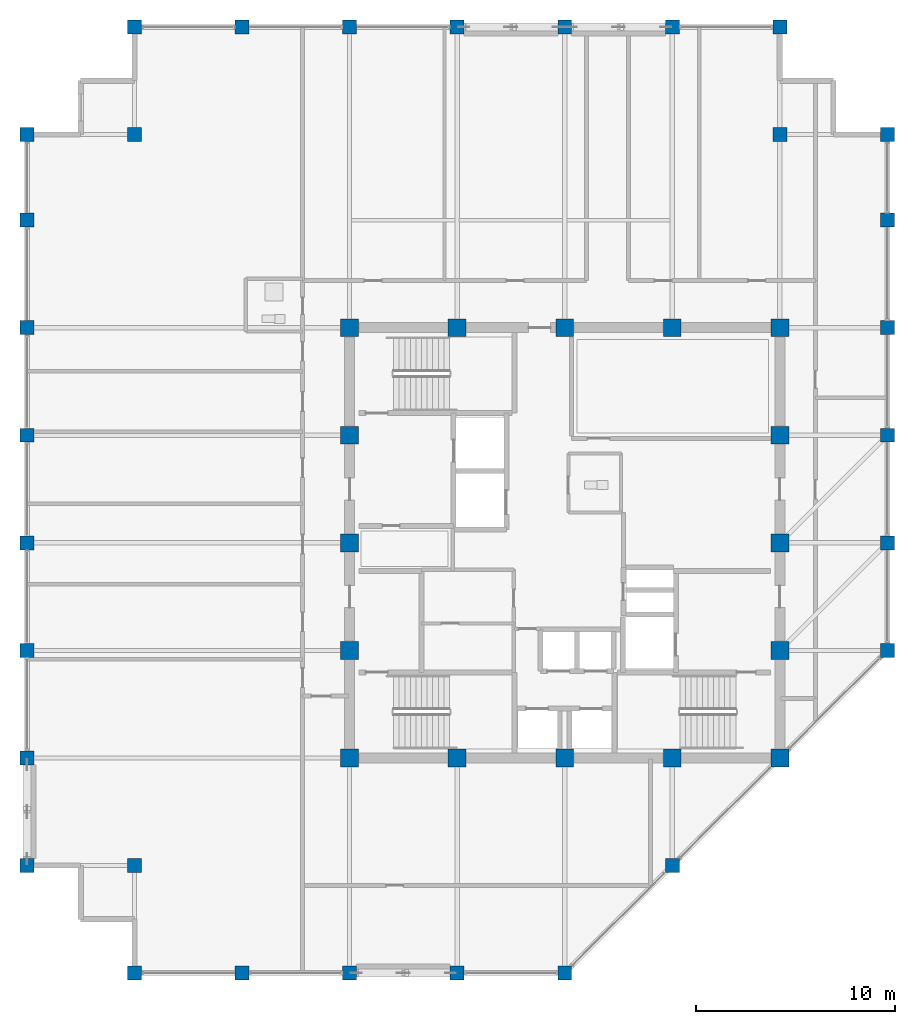
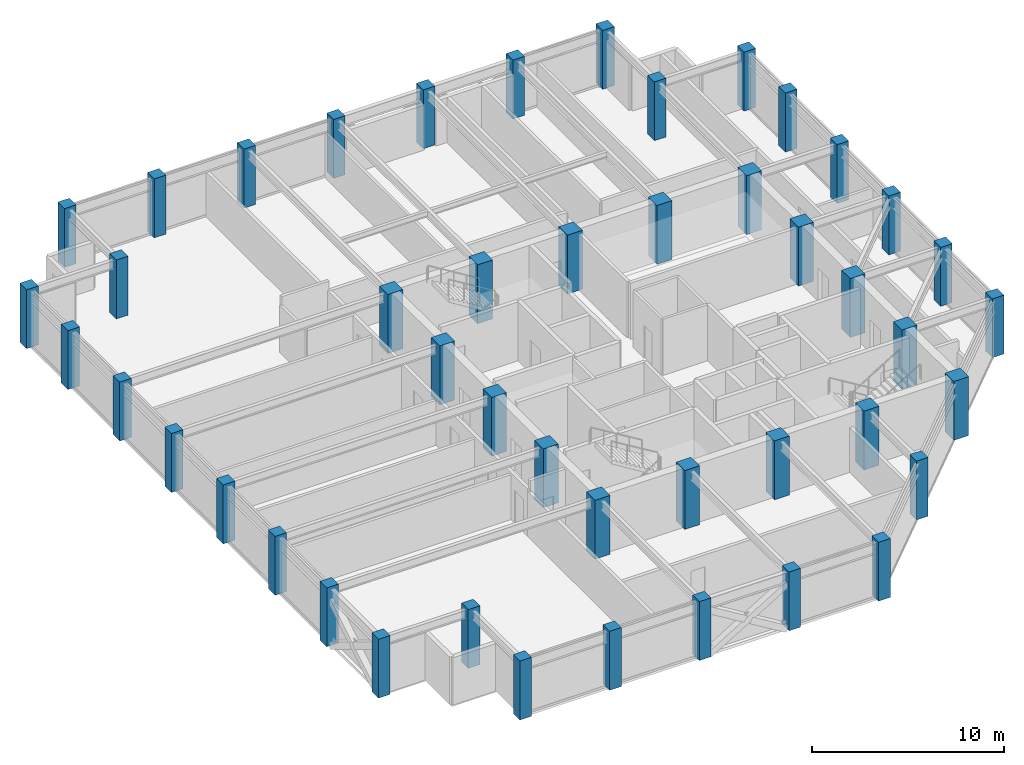
# One storey, part 1 of 30: 46 columns.
"""IFC4 building model written with IfcOpenShell, lengths in metres."""

from ifc_helpers import new_model, si_unit, direction, frame, origin, origin_2d, place, context, subcontext, project, spatial, rectangle, extrude, material, material_profile, profile_set, type_object, element, save


model = new_model("IFC4")

# Units and contexts
model_context = context("Model", 3, precision=1e-05, world=origin(), true_north=direction((0.0, 1.0)))
body_context = subcontext(model_context, "Body", "Model", "MODEL_VIEW")
ifc_project = project(units=[si_unit("LENGTHUNIT", "METRE"), si_unit("AREAUNIT", "SQUARE_METRE"), si_unit("VOLUMEUNIT", "CUBIC_METRE"), si_unit("PLANEANGLEUNIT", "RADIAN"), si_unit("MASSUNIT", "GRAM", prefix="KILO")], contexts=[model_context])

# Site, building, storey
site_placement = place(None, origin())
site = spatial("IfcSite", under=ifc_project, at=site_placement, CompositionType="ELEMENT")
building_placement = place(site_placement, origin())
building = spatial("IfcBuilding", under=site, at=building_placement, Name="Surkhivell Harbour Commons", CompositionType="ELEMENT")
storey_placement = place(building_placement, frame((0.0, 0.0, 292.5)))
storey = spatial("IfcBuildingStorey", under=building, at=storey_placement, Name="L76", CompositionType="ELEMENT", Elevation=292.5)

# Columns
ifc_material_1 = material(Name="Concrete C60/75", Category="concrete")
ifc_material_profile_1 = material_profile(ifc_material_1, rectangle(XDim=0.89990234375, YDim=0.89990234375, at=origin_2d()), Name="RC-COL-900x900")
ifc_profile_set_1 = profile_set([ifc_material_profile_1], Name="Concrete C60/75")
column_type_1 = type_object("IfcColumnType", Name="COL-TUBE-Z3A", PredefinedType="COLUMN", material=ifc_profile_set_1)
for number, where, z_axis, x_axis, name in (
    (1, (-10.800048828125, -10.800048828125, 0.0), (0.0, 0.0, 1.0), (1.0, 0.0, 0.0), "L76 Column CT-3A (-10.8,-10.8)"),
    (2, (-10.800048828125, -5.39990234375, 0.0), (0.0, 0.0, 1.0), (1.0, 0.0, 0.0), "L76 Column CT-3A (-10.8,-5.4)"),
    (3, (-10.800048828125, 0.0, 0.0), (0.0, 0.0, 1.0), (1.0, 0.0, 0.0), "L76 Column CT-3A (-10.8,0.0)"),
    (4, (-10.800048828125, 5.39990234375, 0.0), (0.0, 0.0, 1.0), (1.0, 0.0, 0.0), "L76 Column CT-3A (-10.8,5.4)"),
    (5, (-10.800048828125, 10.800048828125, 0.0), (0.0, 0.0, 1.0), (1.0, 0.0, 0.0), "L76 Column CT-3A (-10.8,10.8)"),
    (6, (-5.39990234375, -10.800048828125, 0.0), (0.0, 0.0, 1.0), (1.0, 0.0, 0.0), "L76 Column CT-3A (-5.4,-10.8)"),
    (7, (-5.39990234375, 10.800048828125, 0.0), (0.0, 0.0, 1.0), (1.0, 0.0, 0.0), "L76 Column CT-3A (-5.4,10.8)"),
    (8, (0.0, -10.800048828125, 0.0), (0.0, 0.0, 1.0), (1.0, 0.0, 0.0), "L76 Column CT-3A (0.0,-10.8)"),
    (9, (0.0, 10.800048828125, 0.0), (0.0, 0.0, 1.0), (1.0, 0.0, 0.0), "L76 Column CT-3A (0.0,10.8)"),
    (10, (5.39990234375, -10.800048828125, 0.0), (0.0, 0.0, 1.0), (1.0, 0.0, 0.0), "L76 Column CT-3A (5.4,-10.8)"),
    (11, (5.39990234375, 10.800048828125, 0.0), (0.0, 0.0, 1.0), (1.0, 0.0, 0.0), "L76 Column CT-3A (5.4,10.8)"),
    (12, (10.800048828125, -10.800048828125, 0.0), (0.0, 0.0, 1.0), (1.0, 0.0, 0.0), "L76 Column CT-3A (10.8,-10.8)"),
    (13, (10.800048828125, -5.39990234375, 0.0), (0.0, 0.0, 1.0), (1.0, 0.0, 0.0), "L76 Column CT-3A (10.8,-5.4)"),
    (14, (10.800048828125, 0.0, 0.0), (0.0, 0.0, 1.0), (1.0, 0.0, 0.0), "L76 Column CT-3A (10.8,0.0)"),
    (15, (10.800048828125, 5.39990234375, 0.0), (0.0, 0.0, 1.0), (1.0, 0.0, 0.0), "L76 Column CT-3A (10.8,5.4)"),
    (16, (10.800048828125, 10.800048828125, 0.0), (0.0, 0.0, 1.0), (1.0, 0.0, 0.0), "L76 Column CT-3A (10.8,10.8)"),
):
    element("IfcColumn", number, at=place(storey_placement, frame(where, z_axis=z_axis, x_axis=x_axis)), inside=storey, type_object=column_type_1, Name=name, PredefinedType="COLUMN", context=body_context, shape_type="SweptSolid", body=[
        extrude(rectangle(XDim=0.89990234375, YDim=0.89990234375, at=origin_2d()), origin(), (0.0, 0.0, 1.0), 3.75),
    ])
ifc_material_2 = material(Name="Concrete C50/60", Category="concrete")
ifc_material_profile_2 = material_profile(ifc_material_2, rectangle(XDim=0.699951171875, YDim=0.699951171875, at=origin_2d()), Name="RC-COL-700x700")
ifc_profile_set_2 = profile_set([ifc_material_profile_2], Name="Concrete C50/60")
column_type_2 = type_object("IfcColumnType", Name="COL-TUBE-Z4", PredefinedType="COLUMN", material=ifc_profile_set_2)
for number, where, z_axis, x_axis, name in (
    (17, (-27.0, -16.199951171875, 0.0), (0.0, 0.0, 1.0), (1.0, 0.0, 0.0), "L76 Column CT-4 (-27.0,-16.2)"),
    (18, (-27.0, -10.800048828125, 0.0), (0.0, 0.0, 1.0), (1.0, 0.0, 0.0), "L76 Column CT-4 (-27.0,-10.8)"),
    (19, (-27.0, -5.39990234375, 0.0), (0.0, 0.0, 1.0), (1.0, 0.0, 0.0), "L76 Column CT-4 (-27.0,-5.4)"),
    (20, (-27.0, 0.0, 0.0), (0.0, 0.0, 1.0), (1.0, 0.0, 0.0), "L76 Column CT-4 (-27.0,0.0)"),
    (21, (-27.0, 5.39990234375, 0.0), (0.0, 0.0, 1.0), (1.0, 0.0, 0.0), "L76 Column CT-4 (-27.0,5.4)"),
    (22, (-27.0, 10.800048828125, 0.0), (0.0, 0.0, 1.0), (1.0, 0.0, 0.0), "L76 Column CT-4 (-27.0,10.8)"),
    (23, (-27.0, 16.199951171875, 0.0), (0.0, 0.0, 1.0), (1.0, 0.0, 0.0), "L76 Column CT-4 (-27.0,16.2)"),
    (24, (-27.0, 20.5, 0.0), (0.0, 0.0, 1.0), (1.0, 0.0, 0.0), "L76 Column CT-4 (-27.0,20.5)"),
    (25, (-21.60009765625, -21.60009765625, 0.0), (0.0, 0.0, 1.0), (1.0, 0.0, 0.0), "L76 Column CT-4 (-21.6,-21.6)"),
    (26, (-21.60009765625, -16.199951171875, 0.0), (0.0, 0.0, 1.0), (1.0, 0.0, 0.0), "L76 Column CT-4 (-21.6,-16.2)"),
    (27, (-21.60009765625, 20.5, 0.0), (0.0, 0.0, 1.0), (1.0, 0.0, 0.0), "L76 Column CT-4 (-21.6,20.5)"),
    (28, (-21.60009765625, 25.89990234375, 0.0), (0.0, 0.0, 1.0), (1.0, 0.0, 0.0), "L76 Column CT-4 (-21.6,25.9)"),
    (29, (-16.199951171875, -21.60009765625, 0.0), (0.0, 0.0, 1.0), (1.0, 0.0, 0.0), "L76 Column CT-4 (-16.2,-21.6)"),
    (30, (-16.199951171875, 25.89990234375, 0.0), (0.0, 0.0, 1.0), (1.0, 0.0, 0.0), "L76 Column CT-4 (-16.2,25.9)"),
    (31, (-10.800048828125, -21.60009765625, 0.0), (0.0, 0.0, 1.0), (1.0, 0.0, 0.0), "L76 Column CT-4 (-10.8,-21.6)"),
    (32, (-10.800048828125, 25.89990234375, 0.0), (0.0, 0.0, 1.0), (1.0, 0.0, 0.0), "L76 Column CT-4 (-10.8,25.9)"),
    (33, (-5.39990234375, -21.60009765625, 0.0), (0.0, 0.0, 1.0), (1.0, 0.0, 0.0), "L76 Column CT-4 (-5.4,-21.6)"),
    (34, (-5.39990234375, 25.89990234375, 0.0), (0.0, 0.0, 1.0), (1.0, 0.0, 0.0), "L76 Column CT-4 (-5.4,25.9)"),
    (35, (0.0, -21.60009765625, 0.0), (0.0, 0.0, 1.0), (1.0, 0.0, 0.0), "L76 Column CT-4 (-0.0,-21.6)"),
    (36, (0.0, 25.89990234375, 0.0), (0.0, 0.0, 1.0), (1.0, 0.0, 0.0), "L76 Column CT-4 (-0.0,25.9)"),
    (37, (5.39990234375, -16.199951171875, 0.0), (0.0, 0.0, 1.0), (1.0, 0.0, 0.0), "L76 Column CT-4 (5.4,-16.2)"),
    (38, (5.39990234375, 25.89990234375, 0.0), (0.0, 0.0, 1.0), (1.0, 0.0, 0.0), "L76 Column CT-4 (5.4,25.9)"),
    (39, (10.800048828125, 20.5, 0.0), (0.0, 0.0, 1.0), (1.0, 0.0, 0.0), "L76 Column CT-4 (10.8,20.5)"),
    (40, (10.800048828125, 25.89990234375, 0.0), (0.0, 0.0, 1.0), (1.0, 0.0, 0.0), "L76 Column CT-4 (10.8,25.9)"),
    (41, (16.199951171875, -5.39990234375, 0.0), (0.0, 0.0, 1.0), (1.0, 0.0, 0.0), "L76 Column CT-4 (16.2,-5.4)"),
    (42, (16.199951171875, 0.0, 0.0), (0.0, 0.0, 1.0), (1.0, 0.0, 0.0), "L76 Column CT-4 (16.2,0.0)"),
    (43, (16.199951171875, 5.39990234375, 0.0), (0.0, 0.0, 1.0), (1.0, 0.0, 0.0), "L76 Column CT-4 (16.2,5.4)"),
    (44, (16.199951171875, 10.800048828125, 0.0), (0.0, 0.0, 1.0), (1.0, 0.0, 0.0), "L76 Column CT-4 (16.2,10.8)"),
    (45, (16.199951171875, 16.199951171875, 0.0), (0.0, 0.0, 1.0), (1.0, 0.0, 0.0), "L76 Column CT-4 (16.2,16.2)"),
    (46, (16.199951171875, 20.5, 0.0), (0.0, 0.0, 1.0), (1.0, 0.0, 0.0), "L76 Column CT-4 (16.2,20.5)"),
):
    element("IfcColumn", number, at=place(storey_placement, frame(where, z_axis=z_axis, x_axis=x_axis)), inside=storey, type_object=column_type_2, Name=name, PredefinedType="COLUMN", context=body_context, shape_type="SweptSolid", body=[
        extrude(rectangle(XDim=0.699951171875, YDim=0.699951171875, at=origin_2d()), origin(), (0.0, 0.0, 1.0), 3.75),
    ])

save(model, "model.ifc")
